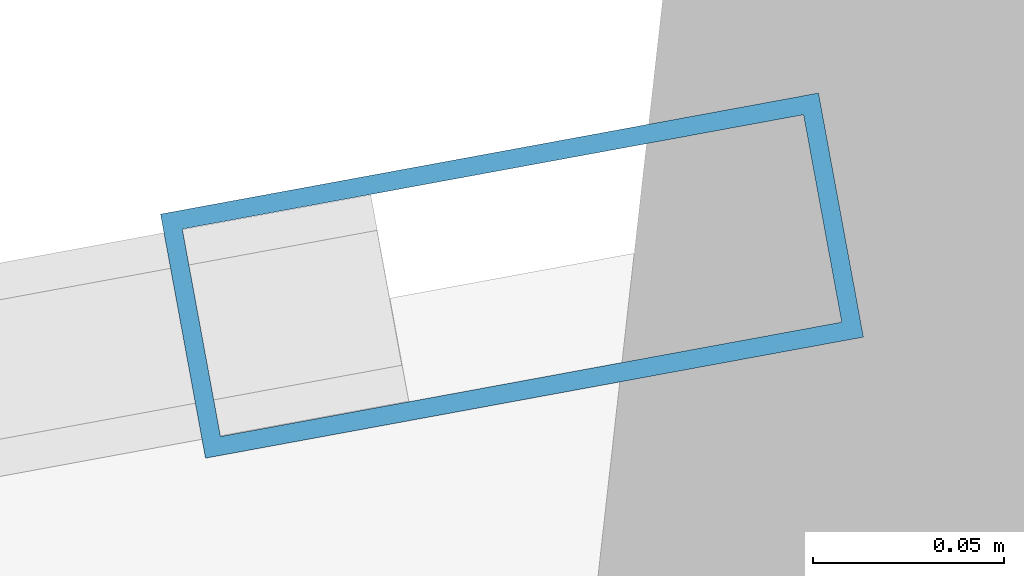
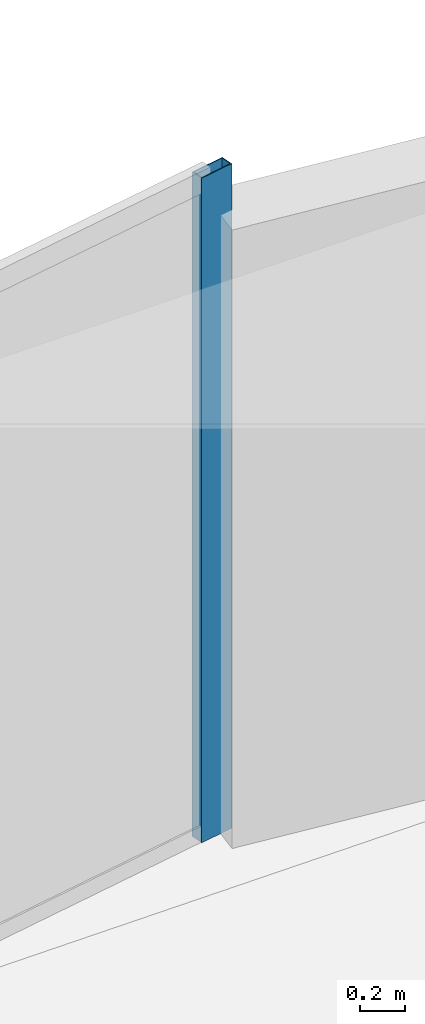
# One storey, part 18 of 25: 1 member, 1 element without a shape of its own.
"""IFC4 building model written with IfcOpenShell, lengths in metres."""

from ifc_helpers import new_model, si_unit, direction, frame, origin, origin_2d, place, context, subcontext, project, spatial, hollow_rectangle, extrude, source, transform, mapped, material, layer, layer_set, material_profile, profile_set, type_object, element, aggregate, save


model = new_model("IFC4")

# Units and contexts
model_context = context("Model", 3, precision=1e-05, world=origin(), true_north=direction((0.0, 1.0)))
body_context = subcontext(model_context, "Body", "Model", "MODEL_VIEW")
ifc_project = project(units=[si_unit("LENGTHUNIT", "METRE"), si_unit("AREAUNIT", "SQUARE_METRE"), si_unit("VOLUMEUNIT", "CUBIC_METRE"), si_unit("PLANEANGLEUNIT", "RADIAN"), si_unit("MASSUNIT", "GRAM", prefix="KILO")], contexts=[model_context])

# Site, building, storey
site_placement = place(None, origin())
site = spatial("IfcSite", under=ifc_project, at=site_placement, CompositionType="ELEMENT")
building_placement = place(site_placement, origin())
building = spatial("IfcBuilding", under=site, at=building_placement, Name="Solvirekh Grand Hotel", CompositionType="ELEMENT")
storey_placement = place(building_placement, frame((0.0, 0.0, 102.60009765625)))
storey = spatial("IfcBuildingStorey", under=building, at=storey_placement, Name="L25", CompositionType="ELEMENT", Elevation=102.60009765625)

# Curtain wall, member
ifc_material = material(Name="Anodized Bronze Aluminium 6063-T6", Category="aluminium")
ifc_layer = layer(ifc_material, 0.175048828125)
ifc_layer_set = layer_set([ifc_layer], Name="Anodized Bronze Aluminium 6063-T6")
curtain_wall_type = type_object("IfcCurtainWallType", Name="CW_Sys3_MidZoneFlushBronzeCW", PredefinedType="NOTDEFINED", material=ifc_layer_set)
curtain_wall_placement = place(storey_placement, origin())
curtain_wall = element("IfcCurtainWall", 1, at=curtain_wall_placement, inside=storey, type_object=curtain_wall_type, Name="L25 unitised bronze-glass curtain wall CW-L25-C08", PredefinedType="NOTDEFINED")
ifc_material_profile = material_profile(ifc_material, hollow_rectangle(XDim=0.06494140625, YDim=0.175048828125, WallThickness=0.0048828125, at=origin_2d()), Name="ALU RHS 175X65X5")
ifc_profile_set = profile_set([ifc_material_profile], Name="Anodized Bronze Aluminium 6063-T6")
member_type = type_object("IfcMemberType", Name="CWMullion_Sys3", PredefinedType="MULLION", material=ifc_profile_set)
shared_shape = source(origin(), body_context, "Body", "SweptSolid", [
    extrude(hollow_rectangle(XDim=0.06494140625, YDim=0.175048828125, WallThickness=0.0048828125, at=origin_2d()), origin(), (0.0, 0.0, 1.0), 3.599853515625),
])
member_placement = place(storey_placement, frame((-3.242919921875, 21.26708984375, 0.0), z_axis=(0.0, 0.0, 1.0), x_axis=(0.180987633873, -0.983485371719, 0.0)))
member = element("IfcMember", 2, at=member_placement, type_object=member_type, Name="U03 mullion 1", PredefinedType="MULLION", context=body_context, shape_type="MappedRepresentation", body=[
    mapped(shared_shape, transform((0.0, 0.0, 0.0), x_axis=(1.0, 0.0, 0.0), y_axis=(0.0, 1.0, 0.0), z_axis=(0.0, 0.0, 1.0), scale=1.0)),
])
aggregate(curtain_wall, [member])

save(model, "model.ifc")
